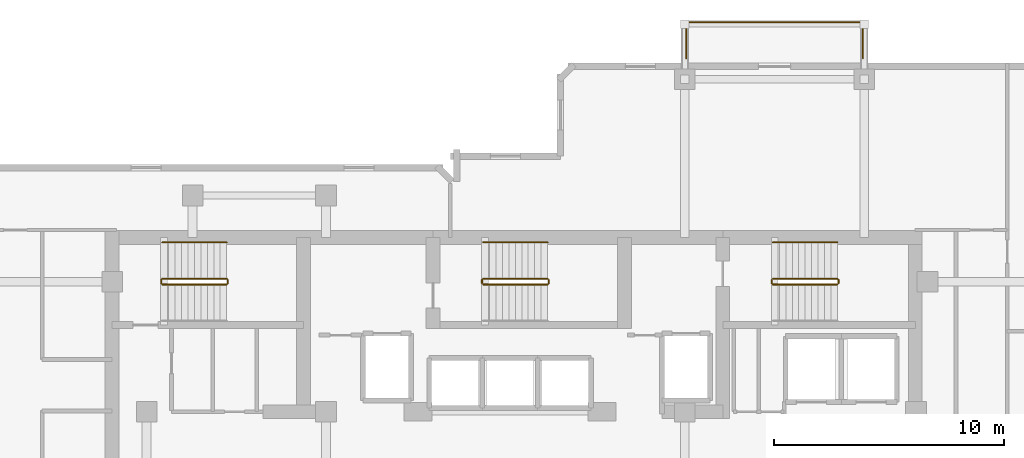
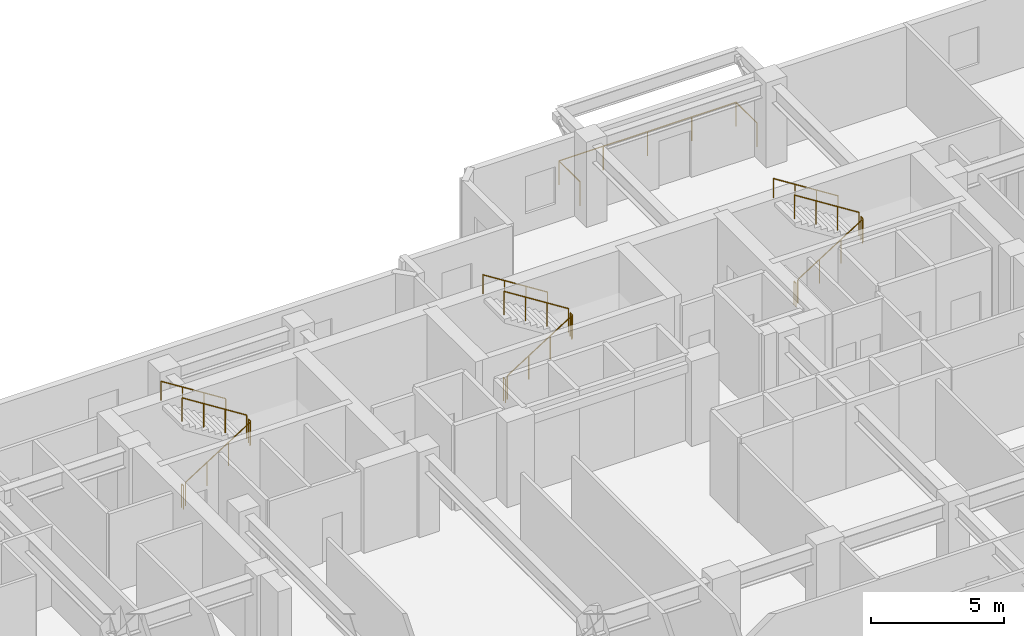
# One storey, part 10 of 10: 16 railings.
"""IFC4 building model written with IfcOpenShell, lengths in metres."""

from ifc_helpers import new_model, si_unit, direction, frame, origin, origin_2d, place, context, subcontext, project, spatial, circle, extrude, material, type_object, element, save


model = new_model("IFC4")

# Units and contexts
model_context = context("Model", 3, precision=1e-05, world=origin(), true_north=direction((0.0, 1.0)))
body_context = subcontext(model_context, "Body", "Model", "MODEL_VIEW")
ifc_project = project(units=[si_unit("LENGTHUNIT", "METRE"), si_unit("AREAUNIT", "SQUARE_METRE"), si_unit("VOLUMEUNIT", "CUBIC_METRE"), si_unit("PLANEANGLEUNIT", "RADIAN"), si_unit("MASSUNIT", "GRAM", prefix="KILO")], contexts=[model_context])

# Site, building, storey
site_placement = place(None, origin())
site = spatial("IfcSite", under=ifc_project, at=site_placement, CompositionType="ELEMENT")
building_placement = place(site_placement, origin())
building = spatial("IfcBuilding", under=site, at=building_placement, Name="Kestravale Grand Hotel", CompositionType="ELEMENT")
storey_placement = place(building_placement, frame((0.0, 0.0, 220.199951171875)))
storey = spatial("IfcBuildingStorey", under=building, at=storey_placement, Name="L55", CompositionType="ELEMENT", Elevation=220.199951171875)

# Railings
ifc_material_1 = material(Name="Champagne-bronze stainless steel and laminated glass guard", Category="steel")
railing_type_1 = type_object("IfcRailingType", Name="RL-EXT-1100", PredefinedType="GUARDRAIL", material=ifc_material_1)
railing_1_placement = place(storey_placement, frame((46.860107421875, 48.1201171875, 0.0)))
element("IfcRailing", 1, at=railing_1_placement, inside=storey, type_object=railing_type_1, Name="L55 outdoor terrace guard 1", PredefinedType="GUARDRAIL", context=body_context, shape_type="SweptSolid", body=[
    extrude(circle(Radius=0.02392578125, at=origin_2d()), frame((0.0, 0.0, 1.09619140625), z_axis=(0.0, 1.0, 0.0), x_axis=(-1.0, 0.0, 0.0)), (0.0, 0.0, 1.0), 1.56982421875),
    extrude(circle(Radius=0.02392578125, at=origin_2d()), frame((0.0, 1.56982421875, 1.09619140625), z_axis=(1.0, 0.0, 0.0), x_axis=(0.0, 1.0, 0.0)), (0.0, 0.0, 1.0), 7.679931640625),
    extrude(circle(Radius=0.02392578125, at=origin_2d()), frame((7.679931640625, 1.56982421875, 1.09619140625), z_axis=(0.0, -1.0, 0.0), x_axis=(1.0, 0.0, 0.0)), (0.0, 0.0, 1.0), 1.56982421875),
    extrude(circle(Radius=0.02099609375, at=origin_2d()), origin(), (0.0, 0.0, 1.0), 1.072021484375),
    extrude(circle(Radius=0.02099609375, at=origin_2d()), frame((0.0, 1.56982421875, 0.0)), (0.0, 0.0, 1.0), 1.072021484375),
    extrude(circle(Radius=0.02099609375, at=origin_2d()), frame((1.919921875, 1.56982421875, 0.0)), (0.0, 0.0, 1.0), 1.072021484375),
    extrude(circle(Radius=0.02099609375, at=origin_2d()), frame((3.83984375, 1.56982421875, 0.0)), (0.0, 0.0, 1.0), 1.072021484375),
    extrude(circle(Radius=0.02099609375, at=origin_2d()), frame((5.760009765625, 1.56982421875, 0.0)), (0.0, 0.0, 1.0), 1.072021484375),
    extrude(circle(Radius=0.02099609375, at=origin_2d()), frame((7.679931640625, 1.56982421875, 0.0)), (0.0, 0.0, 1.0), 1.072021484375),
    extrude(circle(Radius=0.02099609375, at=origin_2d()), frame((7.679931640625, 0.0, 0.0)), (0.0, 0.0, 1.0), 1.072021484375),
])
ifc_material_2 = material(Name="Painted tubular steel stair well guard", Category="steel")
railing_type_2 = type_object("IfcRailingType", Name="RL-ST-GRD1100", PredefinedType="GUARDRAIL", material=ifc_material_2)
railing_2_placement = place(storey_placement, frame((24.080078125, 38.280029296875, 0.17724609375)))
element("IfcRailing", 2, at=railing_2_placement, inside=storey, type_object=railing_type_2, Name="L55 ST-1 stair guard 1", PredefinedType="GUARDRAIL", context=body_context, shape_type="SweptSolid", body=[
    extrude(circle(Radius=0.02392578125, at=origin_2d()), frame((0.0, 0.0, 1.076171875), z_axis=(0.844887892834, 0.0, 0.53494340686), x_axis=(0.0, 1.0, 0.0)), (0.0, 0.0, 1.0), 3.313720703125),
    extrude(circle(Radius=0.02099609375, at=origin_2d()), origin(), (0.0, 0.0, 1.0), 1.052001953125),
    extrude(circle(Radius=0.02099609375, at=origin_2d()), frame((0.933349609375, 0.0, 0.5908203125)), (0.0, 0.0, 1.0), 1.052001953125),
    extrude(circle(Radius=0.02099609375, at=origin_2d()), frame((1.866455078125, 0.0, 1.181884765625)), (0.0, 0.0, 1.0), 1.052001953125),
    extrude(circle(Radius=0.02099609375, at=origin_2d()), frame((2.7998046875, 0.0, 1.772705078125)), (0.0, 0.0, 1.0), 1.052001953125),
])
railing_3_placement = place(storey_placement, frame((26.929931640625, 38.330078125, 1.949951171875)))
element("IfcRailing", 3, at=railing_3_placement, inside=storey, type_object=railing_type_2, Name="L55 ST-1 stair guard 2", PredefinedType="GUARDRAIL", context=body_context, shape_type="SweptSolid", body=[
    extrude(circle(Radius=0.02392578125, at=origin_2d()), frame((0.0, 0.0, 1.076171875), z_axis=(0.0, 1.0, 0.0), x_axis=(-1.0, 0.0, 0.0)), (0.0, 0.0, 1.0), 0.14990234375),
    extrude(circle(Radius=0.02099609375, at=origin_2d()), origin(), (0.0, 0.0, 1.0), 1.052001953125),
    extrude(circle(Radius=0.02099609375, at=origin_2d()), frame((0.0, 0.14990234375, 0.0)), (0.0, 0.0, 1.0), 1.052001953125),
])
railing_4_placement = place(storey_placement, frame((26.8798828125, 38.530029296875, 2.12744140625)))
element("IfcRailing", 4, at=railing_4_placement, inside=storey, type_object=railing_type_2, Name="L55 ST-1 stair guard 3", PredefinedType="GUARDRAIL", context=body_context, shape_type="SweptSolid", body=[
    extrude(circle(Radius=0.02392578125, at=origin_2d()), frame((0.0, 0.0, 1.076171875), z_axis=(-0.844887892834, 0.0, 0.53494340686), x_axis=(0.0, -1.0, 0.0)), (0.0, 0.0, 1.0), 3.313720703125),
    extrude(circle(Radius=0.02099609375, at=origin_2d()), origin(), (0.0, 0.0, 1.0), 1.052001953125),
    extrude(circle(Radius=0.02099609375, at=origin_2d()), frame((-0.933349609375, 0.0, 0.5908203125)), (0.0, 0.0, 1.0), 1.052001953125),
    extrude(circle(Radius=0.02099609375, at=origin_2d()), frame((-1.866455078125, 0.0, 1.181884765625)), (0.0, 0.0, 1.0), 1.052001953125),
    extrude(circle(Radius=0.02099609375, at=origin_2d()), frame((-2.7998046875, 0.0, 1.772705078125)), (0.0, 0.0, 1.0), 1.052001953125),
])
railing_5_placement = place(storey_placement, frame((24.030029296875, 38.330078125, 0.0)))
element("IfcRailing", 5, at=railing_5_placement, inside=storey, type_object=railing_type_2, Name="L55 ST-1 stair guard 4", PredefinedType="GUARDRAIL", context=body_context, shape_type="SweptSolid", body=[
    extrude(circle(Radius=0.02392578125, at=origin_2d()), frame((0.0, 0.0, 1.076171875), z_axis=(0.0, 1.0, 0.0), x_axis=(-1.0, 0.0, 0.0)), (0.0, 0.0, 1.0), 0.14990234375),
    extrude(circle(Radius=0.02099609375, at=origin_2d()), origin(), (0.0, 0.0, 1.0), 1.052001953125),
    extrude(circle(Radius=0.02099609375, at=origin_2d()), frame((0.0, 0.14990234375, 0.0)), (0.0, 0.0, 1.0), 1.052001953125),
])
railing_6_placement = place(storey_placement, frame((38.030029296875, 38.280029296875, 0.17724609375)))
element("IfcRailing", 6, at=railing_6_placement, inside=storey, type_object=railing_type_2, Name="L55 ST-2 stair guard 1", PredefinedType="GUARDRAIL", context=body_context, shape_type="SweptSolid", body=[
    extrude(circle(Radius=0.02392578125, at=origin_2d()), frame((0.0, 0.0, 1.076171875), z_axis=(0.844908973607, 0.0, 0.534910110503), x_axis=(0.0, 1.0, 0.0)), (0.0, 0.0, 1.0), 3.31396484375),
    extrude(circle(Radius=0.02099609375, at=origin_2d()), origin(), (0.0, 0.0, 1.0), 1.052001953125),
    extrude(circle(Radius=0.02099609375, at=origin_2d()), frame((0.933349609375, 0.0, 0.5908203125)), (0.0, 0.0, 1.0), 1.052001953125),
    extrude(circle(Radius=0.02099609375, at=origin_2d()), frame((1.86669921875, 0.0, 1.181884765625)), (0.0, 0.0, 1.0), 1.052001953125),
    extrude(circle(Radius=0.02099609375, at=origin_2d()), frame((2.800048828125, 0.0, 1.772705078125)), (0.0, 0.0, 1.0), 1.052001953125),
])
railing_7_placement = place(storey_placement, frame((40.8798828125, 38.330078125, 1.949951171875)))
element("IfcRailing", 7, at=railing_7_placement, inside=storey, type_object=railing_type_2, Name="L55 ST-2 stair guard 2", PredefinedType="GUARDRAIL", context=body_context, shape_type="SweptSolid", body=[
    extrude(circle(Radius=0.02392578125, at=origin_2d()), frame((0.0, 0.0, 1.076171875), z_axis=(0.0, 1.0, 0.0), x_axis=(-1.0, 0.0, 0.0)), (0.0, 0.0, 1.0), 0.14990234375),
    extrude(circle(Radius=0.02099609375, at=origin_2d()), origin(), (0.0, 0.0, 1.0), 1.052001953125),
    extrude(circle(Radius=0.02099609375, at=origin_2d()), frame((0.0, 0.14990234375, 0.0)), (0.0, 0.0, 1.0), 1.052001953125),
])
railing_8_placement = place(storey_placement, frame((40.830078125, 38.530029296875, 2.12744140625)))
element("IfcRailing", 8, at=railing_8_placement, inside=storey, type_object=railing_type_2, Name="L55 ST-2 stair guard 3", PredefinedType="GUARDRAIL", context=body_context, shape_type="SweptSolid", body=[
    extrude(circle(Radius=0.02392578125, at=origin_2d()), frame((0.0, 0.0, 1.076171875), z_axis=(-0.844908973607, 0.0, 0.534910110503), x_axis=(0.0, -1.0, 0.0)), (0.0, 0.0, 1.0), 3.31396484375),
    extrude(circle(Radius=0.02099609375, at=origin_2d()), origin(), (0.0, 0.0, 1.0), 1.052001953125),
    extrude(circle(Radius=0.02099609375, at=origin_2d()), frame((-0.933349609375, 0.0, 0.5908203125)), (0.0, 0.0, 1.0), 1.052001953125),
    extrude(circle(Radius=0.02099609375, at=origin_2d()), frame((-1.86669921875, 0.0, 1.181884765625)), (0.0, 0.0, 1.0), 1.052001953125),
    extrude(circle(Radius=0.02099609375, at=origin_2d()), frame((-2.800048828125, 0.0, 1.772705078125)), (0.0, 0.0, 1.0), 1.052001953125),
])
railing_9_placement = place(storey_placement, frame((37.97998046875, 38.330078125, 0.0)))
element("IfcRailing", 9, at=railing_9_placement, inside=storey, type_object=railing_type_2, Name="L55 ST-2 stair guard 4", PredefinedType="GUARDRAIL", context=body_context, shape_type="SweptSolid", body=[
    extrude(circle(Radius=0.02392578125, at=origin_2d()), frame((0.0, 0.0, 1.076171875), z_axis=(0.0, 1.0, 0.0), x_axis=(-1.0, 0.0, 0.0)), (0.0, 0.0, 1.0), 0.14990234375),
    extrude(circle(Radius=0.02099609375, at=origin_2d()), origin(), (0.0, 0.0, 1.0), 1.052001953125),
    extrude(circle(Radius=0.02099609375, at=origin_2d()), frame((0.0, 0.14990234375, 0.0)), (0.0, 0.0, 1.0), 1.052001953125),
])
railing_10_placement = place(storey_placement, frame((50.6298828125, 38.280029296875, 0.17724609375)))
element("IfcRailing", 10, at=railing_10_placement, inside=storey, type_object=railing_type_2, Name="L55 ST-3 stair guard 1", PredefinedType="GUARDRAIL", context=body_context, shape_type="SweptSolid", body=[
    extrude(circle(Radius=0.02392578125, at=origin_2d()), frame((0.0, 0.0, 1.076171875), z_axis=(0.844908973607, 0.0, 0.534910110503), x_axis=(0.0, 1.0, 0.0)), (0.0, 0.0, 1.0), 3.31396484375),
    extrude(circle(Radius=0.02099609375, at=origin_2d()), origin(), (0.0, 0.0, 1.0), 1.052001953125),
    extrude(circle(Radius=0.02099609375, at=origin_2d()), frame((0.933349609375, 0.0, 0.5908203125)), (0.0, 0.0, 1.0), 1.052001953125),
    extrude(circle(Radius=0.02099609375, at=origin_2d()), frame((1.86669921875, 0.0, 1.181884765625)), (0.0, 0.0, 1.0), 1.052001953125),
    extrude(circle(Radius=0.02099609375, at=origin_2d()), frame((2.800048828125, 0.0, 1.772705078125)), (0.0, 0.0, 1.0), 1.052001953125),
])
railing_11_placement = place(storey_placement, frame((53.47998046875, 38.330078125, 1.949951171875)))
element("IfcRailing", 11, at=railing_11_placement, inside=storey, type_object=railing_type_2, Name="L55 ST-3 stair guard 2", PredefinedType="GUARDRAIL", context=body_context, shape_type="SweptSolid", body=[
    extrude(circle(Radius=0.02392578125, at=origin_2d()), frame((0.0, 0.0, 1.076171875), z_axis=(0.0, 1.0, 0.0), x_axis=(-1.0, 0.0, 0.0)), (0.0, 0.0, 1.0), 0.14990234375),
    extrude(circle(Radius=0.02099609375, at=origin_2d()), origin(), (0.0, 0.0, 1.0), 1.052001953125),
    extrude(circle(Radius=0.02099609375, at=origin_2d()), frame((0.0, 0.14990234375, 0.0)), (0.0, 0.0, 1.0), 1.052001953125),
])
railing_12_placement = place(storey_placement, frame((53.429931640625, 38.530029296875, 2.12744140625)))
element("IfcRailing", 12, at=railing_12_placement, inside=storey, type_object=railing_type_2, Name="L55 ST-3 stair guard 3", PredefinedType="GUARDRAIL", context=body_context, shape_type="SweptSolid", body=[
    extrude(circle(Radius=0.02392578125, at=origin_2d()), frame((0.0, 0.0, 1.076171875), z_axis=(-0.844908973607, 0.0, 0.534910110503), x_axis=(0.0, -1.0, 0.0)), (0.0, 0.0, 1.0), 3.31396484375),
    extrude(circle(Radius=0.02099609375, at=origin_2d()), origin(), (0.0, 0.0, 1.0), 1.052001953125),
    extrude(circle(Radius=0.02099609375, at=origin_2d()), frame((-0.933349609375, 0.0, 0.5908203125)), (0.0, 0.0, 1.0), 1.052001953125),
    extrude(circle(Radius=0.02099609375, at=origin_2d()), frame((-1.86669921875, 0.0, 1.181884765625)), (0.0, 0.0, 1.0), 1.052001953125),
    extrude(circle(Radius=0.02099609375, at=origin_2d()), frame((-2.800048828125, 0.0, 1.772705078125)), (0.0, 0.0, 1.0), 1.052001953125),
])
railing_13_placement = place(storey_placement, frame((50.580078125, 38.330078125, 0.0)))
element("IfcRailing", 13, at=railing_13_placement, inside=storey, type_object=railing_type_2, Name="L55 ST-3 stair guard 4", PredefinedType="GUARDRAIL", context=body_context, shape_type="SweptSolid", body=[
    extrude(circle(Radius=0.02392578125, at=origin_2d()), frame((0.0, 0.0, 1.076171875), z_axis=(0.0, 1.0, 0.0), x_axis=(-1.0, 0.0, 0.0)), (0.0, 0.0, 1.0), 0.14990234375),
    extrude(circle(Radius=0.02099609375, at=origin_2d()), origin(), (0.0, 0.0, 1.0), 1.052001953125),
    extrude(circle(Radius=0.02099609375, at=origin_2d()), frame((0.0, 0.14990234375, 0.0)), (0.0, 0.0, 1.0), 1.052001953125),
])
ifc_material_3 = material(Name="Brushed stainless steel wall handrail", Category="steel")
railing_type_3 = type_object("IfcRailingType", Name="RL-ST-HND900", PredefinedType="HANDRAIL", material=ifc_material_3)
railing_14_placement = place(storey_placement, frame((26.8798828125, 40.110107421875, 2.12744140625)))
element("IfcRailing", 14, at=railing_14_placement, inside=storey, type_object=railing_type_3, Name="L55 ST-1 stair handrail 2", PredefinedType="HANDRAIL", context=body_context, shape_type="SweptSolid", body=[
    extrude(circle(Radius=0.02392578125, at=origin_2d()), frame((0.0, 0.0, 0.8759765625), z_axis=(-0.844887892834, 0.0, 0.53494340686), x_axis=(0.0, -1.0, 0.0)), (0.0, 0.0, 1.0), 3.313720703125),
    extrude(circle(Radius=0.02099609375, at=origin_2d()), origin(), (0.0, 0.0, 1.0), 0.851806640625),
    extrude(circle(Radius=0.02099609375, at=origin_2d()), frame((-0.933349609375, 0.0, 0.5908203125)), (0.0, 0.0, 1.0), 0.851806640625),
    extrude(circle(Radius=0.02099609375, at=origin_2d()), frame((-1.866455078125, 0.0, 1.181884765625)), (0.0, 0.0, 1.0), 0.851806640625),
    extrude(circle(Radius=0.02099609375, at=origin_2d()), frame((-2.7998046875, 0.0, 1.772705078125)), (0.0, 0.0, 1.0), 0.851806640625),
])
for number, where, name in (
    (15, (40.830078125, 40.110107421875, 2.12744140625), "L55 ST-2 stair handrail 2"),
    (16, (53.429931640625, 40.110107421875, 2.12744140625), "L55 ST-3 stair handrail 2"),
):
    element("IfcRailing", number, at=place(storey_placement, frame(where)), inside=storey, type_object=railing_type_3, Name=name, PredefinedType="HANDRAIL", context=body_context, shape_type="SweptSolid", body=[
        extrude(circle(Radius=0.02392578125, at=origin_2d()), frame((0.0, 0.0, 0.8759765625), z_axis=(-0.844908973607, 0.0, 0.534910110503), x_axis=(0.0, -1.0, 0.0)), (0.0, 0.0, 1.0), 3.31396484375),
        extrude(circle(Radius=0.02099609375, at=origin_2d()), origin(), (0.0, 0.0, 1.0), 0.851806640625),
        extrude(circle(Radius=0.02099609375, at=origin_2d()), frame((-0.933349609375, 0.0, 0.5908203125)), (0.0, 0.0, 1.0), 0.851806640625),
        extrude(circle(Radius=0.02099609375, at=origin_2d()), frame((-1.86669921875, 0.0, 1.181884765625)), (0.0, 0.0, 1.0), 0.851806640625),
        extrude(circle(Radius=0.02099609375, at=origin_2d()), frame((-2.800048828125, 0.0, 1.772705078125)), (0.0, 0.0, 1.0), 0.851806640625),
    ])

save(model, "model.ifc")
